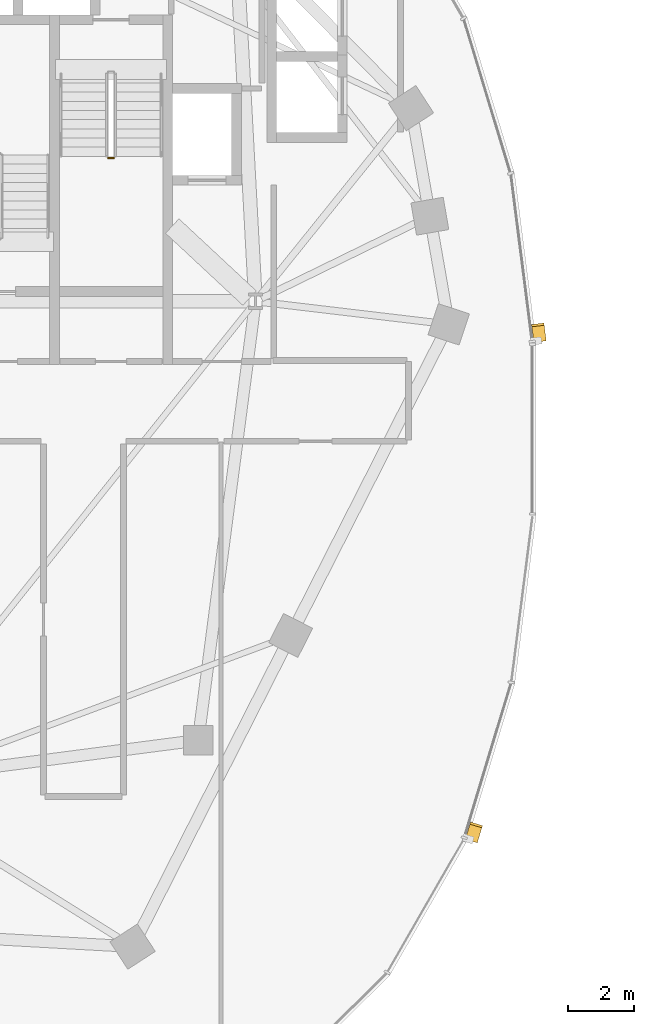
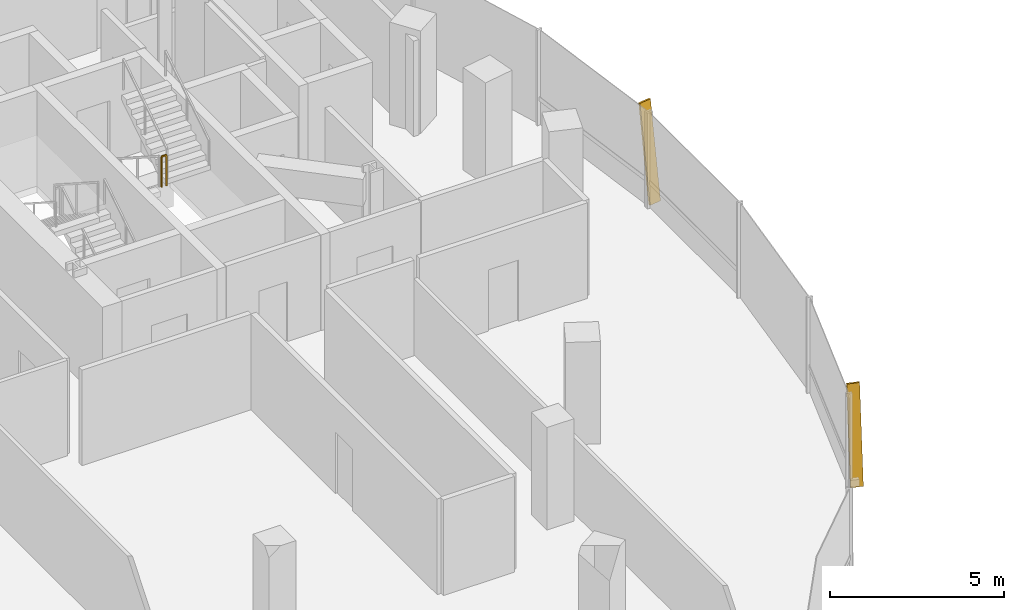
# One storey, part 19 of 22: 2 shading devices, 1 railing.
"""IFC4 building model written with IfcOpenShell, lengths in metres."""

from ifc_helpers import new_model, si_unit, direction, frame, origin, origin_2d, place, context, subcontext, project, spatial, rectangle, extrude, material, material_profile, profile_set, type_object, element, save


model = new_model("IFC4")

# Units and contexts
model_context = context("Model", 3, precision=1e-05, world=origin(), true_north=direction((0.0, 1.0)))
body_context = subcontext(model_context, "Body", "Model", "MODEL_VIEW")
ifc_project = project(units=[si_unit("LENGTHUNIT", "METRE"), si_unit("AREAUNIT", "SQUARE_METRE"), si_unit("VOLUMEUNIT", "CUBIC_METRE"), si_unit("PLANEANGLEUNIT", "RADIAN"), si_unit("MASSUNIT", "GRAM", prefix="KILO"), si_unit("THERMODYNAMICTEMPERATUREUNIT", "KELVIN"), si_unit("POWERUNIT", "WATT")], contexts=[model_context])

# Site, building, storey
site_placement = place(None, origin())
site = spatial("IfcSite", under=ifc_project, at=site_placement, CompositionType="ELEMENT")
building_placement = place(site_placement, origin())
building = spatial("IfcBuilding", under=site, at=building_placement, Name="Cundina Bronze Exchange", CompositionType="ELEMENT")
storey_placement = place(building_placement, frame((0.0, 0.0, 140.39990234375)))
storey = spatial("IfcBuildingStorey", under=building, at=storey_placement, Name="L36", CompositionType="ELEMENT", Elevation=140.39990234375)

# Railing
ifc_material_1 = material(Name="Steel ASTM A36 Painted", Category="steel")
railing_type = type_object("IfcRailingType", Name="RLG-STG-1100", PredefinedType="GUARDRAIL", material=ifc_material_1)
railing_placement = place(storey_placement, frame((-25.93994140625, 8.280029296875, 1.800048828125)))
element("IfcRailing", 1, at=railing_placement, inside=storey, type_object=railing_type, Name="L36 ST-W2 stair guard 2", PredefinedType="GUARDRAIL", context=body_context, shape_type="SweptSolid", body=[
    extrude(rectangle(XDim=0.048095703125, YDim=0.048095703125, at=origin_2d()), frame((0.0, 0.0, 1.076171875), z_axis=(1.0, 0.0, 0.0), x_axis=(0.0, 1.0, 0.0)), (0.0, 0.0, 1.0), 0.159912109375),
    extrude(rectangle(XDim=0.0419921875, YDim=0.0419921875, at=origin_2d()), origin(), (0.0, 0.0, 1.0), 1.052001953125),
    extrude(rectangle(XDim=0.0419921875, YDim=0.0419921875, at=origin_2d()), frame((0.159912109375, 0.0, 0.0)), (0.0, 0.0, 1.0), 1.052001953125),
])

# Shading devices
ifc_material_2 = material(Name="Anodised Bronze Aluminium 6063-T6", Category="aluminium")
ifc_material_profile = material_profile(ifc_material_2, rectangle(XDim=0.070068359375, YDim=0.3798828125, at=origin_2d()), Name="FIN70X380", Category="aluminium")
ifc_profile_set = profile_set([ifc_material_profile], Name="Anodised Bronze Aluminium 6063-T6")
shading_device_type = type_object("IfcShadingDeviceType", Name="SHD-FIN-BRZ380", PredefinedType="USERDEFINED", material=ifc_profile_set)
for number, where, z_axis, x_axis, name in (
    (2, (-12.76513671875, 2.705810546875, 0.02001953125), (-0.018121805099, 0.141917750773, 0.989712560391), (0.125360789044, -0.981741119016, 0.143070080046), "L36 Diagonal Bronze Solar Fin 1"),
    (3, (-14.848876953125, -12.5439453125, 0.02001953125), (0.041483395017, 0.136967981441, 0.989706471636), (-0.286882504107, -0.947215566191, 0.143112193758), "L36 Diagonal Bronze Solar Fin 5"),
):
    element("IfcShadingDevice", number, at=place(storey_placement, frame(where, z_axis=z_axis, x_axis=x_axis)), inside=storey, type_object=shading_device_type, Name=name, ObjectType="FIN", PredefinedType="USERDEFINED", context=body_context, shape_type="SweptSolid", body=[
        extrude(rectangle(XDim=0.070068359375, YDim=0.3798828125, at=origin_2d()), origin(), (0.0, 0.0, 1.0), 3.3544921875),
    ])

save(model, "model.ifc")
